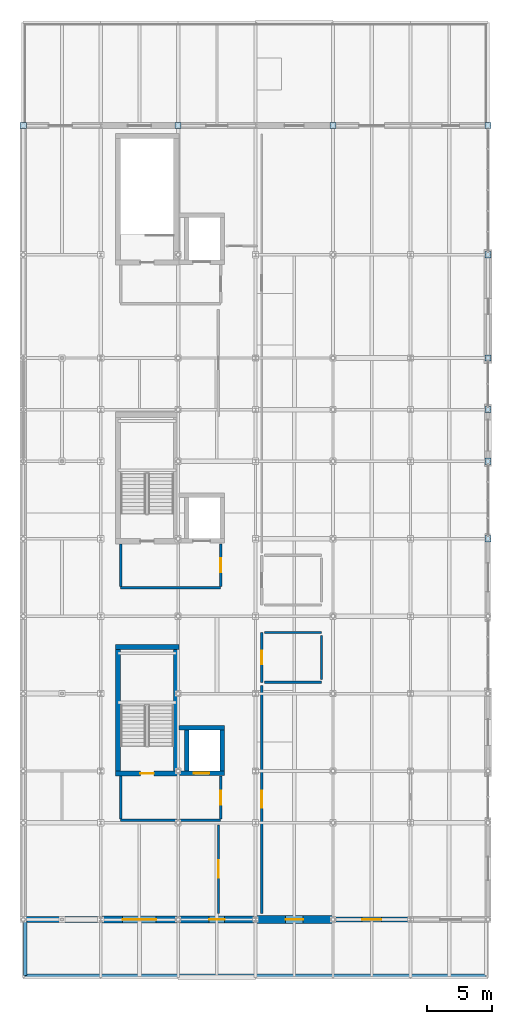
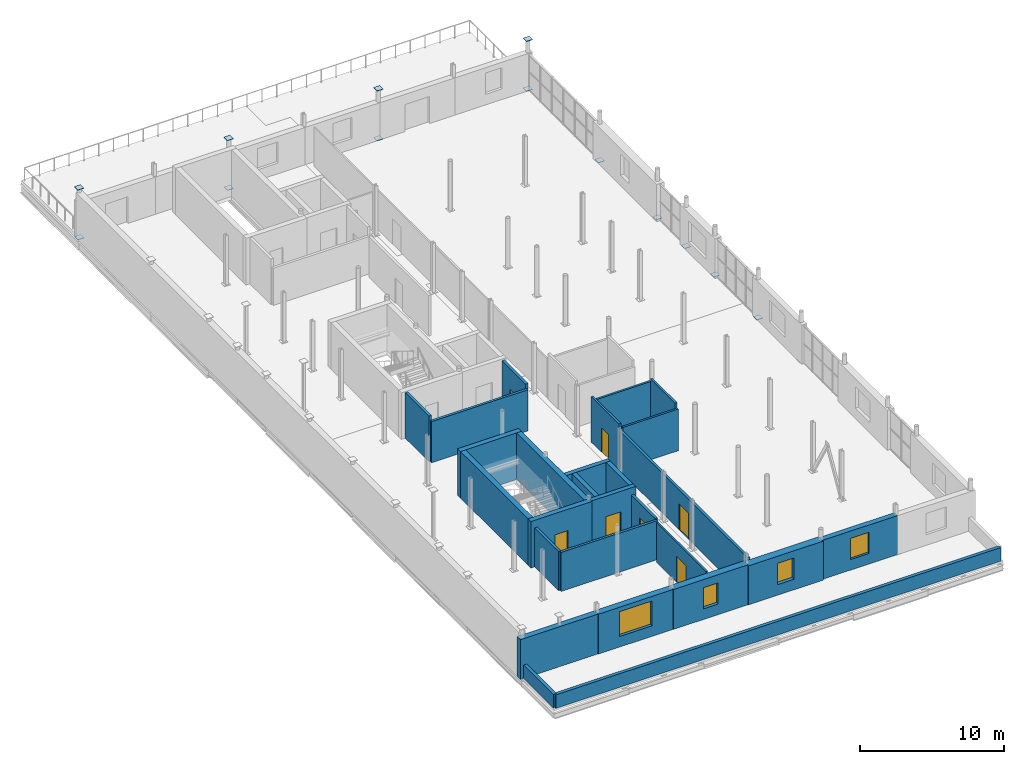
# One storey, part 26 of 30: 27 walls, 13 plates, 7 doors, 4 windows, 11 openings.
"""IFC4 building model written with IfcOpenShell, lengths in metres."""

from ifc_helpers import new_model, si_unit, direction, frame, frame_2d, origin, origin_2d, place, context, subcontext, project, spatial, rectangle, extrude, material, layer, layer_set, type_object, element, fill, save


model = new_model("IFC4")

# Units and contexts
model_context = context("Model", 3, precision=1e-05, world=origin(), true_north=direction((0.0, 1.0)))
body_context = subcontext(model_context, "Body", "Model", "MODEL_VIEW")
ifc_project = project(units=[si_unit("LENGTHUNIT", "METRE"), si_unit("AREAUNIT", "SQUARE_METRE"), si_unit("VOLUMEUNIT", "CUBIC_METRE"), si_unit("PLANEANGLEUNIT", "RADIAN"), si_unit("MASSUNIT", "GRAM", prefix="KILO")], contexts=[model_context])

# Site, building, storey
site_placement = place(None, origin())
site = spatial("IfcSite", under=ifc_project, at=site_placement, CompositionType="ELEMENT")
building_placement = place(site_placement, origin())
building = spatial("IfcBuilding", under=site, at=building_placement, Name="Verrall Gate Interchange", CompositionType="ELEMENT")
storey_placement = place(building_placement, frame((0.0, 0.0, 19.39990234375)))
storey = spatial("IfcBuildingStorey", under=building, at=storey_placement, Name="L05", CompositionType="ELEMENT", Elevation=19.39990234375)

# Plates
ifc_material_1 = material(Name="Structural Steel CSA G40.21 350WT Cat 4", Category="steel")
ifc_layer_1 = layer(ifc_material_1, 0.0400390625)
ifc_layer_set_1 = layer_set([ifc_layer_1], Name="Structural Steel CSA G40.21 350WT Cat 4")
plate_type = type_object("IfcPlateType", Name="BP-01 Base Plate 40", PredefinedType="USERDEFINED", material=ifc_layer_set_1)
for number, where, z_axis, x_axis, name in (
    (1, (0.0, 66.0, -0.02001953125), (0.0, 0.0, 1.0), (1.0, 0.0, 0.0), "L05 Hollow Column Transition Cap Plate 0084"),
    (2, (0.0, 66.0, 4.2001953125), (0.0, 0.0, 1.0), (1.0, 0.0, 0.0), "L05 Hollow Column Top Cap Plate 0085"),
    (3, (12.0, 66.0, -0.02001953125), (0.0, 0.0, 1.0), (1.0, 0.0, 0.0), "L05 Hollow Column Transition Cap Plate 0346"),
    (4, (12.0, 66.0, 4.2001953125), (0.0, 0.0, 1.0), (1.0, 0.0, 0.0), "L05 Hollow Column Top Cap Plate 0347"),
    (5, (24.0, 66.0, -0.02001953125), (0.0, 0.0, 1.0), (1.0, 0.0, 0.0), "L05 Hollow Column Transition Cap Plate 0580"),
    (6, (24.0, 66.0, 4.2001953125), (0.0, 0.0, 1.0), (1.0, 0.0, 0.0), "L05 Hollow Column Top Cap Plate 0581"),
    (7, (36.0, 34.0, -0.02001953125), (0.0, 0.0, 1.0), (1.0, 0.0, 0.0), "L05 Hollow Column Transition Cap Plate 0767"),
    (8, (36.0, 40.0, -0.02001953125), (0.0, 0.0, 1.0), (1.0, 0.0, 0.0), "L05 Hollow Column Transition Cap Plate 0775"),
    (9, (36.0, 44.0, -0.02001953125), (0.0, 0.0, 1.0), (1.0, 0.0, 0.0), "L05 Hollow Column Transition Cap Plate 0783"),
    (10, (36.0, 48.0, -0.02001953125), (0.0, 0.0, 1.0), (1.0, 0.0, 0.0), "L05 Hollow Column Transition Cap Plate 0791"),
    (11, (36.0, 56.0, -0.02001953125), (0.0, 0.0, 1.0), (1.0, 0.0, 0.0), "L05 Hollow Column Transition Cap Plate 0799"),
    (12, (36.0, 66.0, -0.02001953125), (0.0, 0.0, 1.0), (1.0, 0.0, 0.0), "L05 Hollow Column Transition Cap Plate 0807"),
    (13, (36.0, 66.0, 4.2001953125), (0.0, 0.0, 1.0), (1.0, 0.0, 0.0), "L05 Hollow Column Top Cap Plate 0808"),
):
    element("IfcPlate", number, at=place(storey_placement, frame(where, z_axis=z_axis, x_axis=x_axis)), inside=storey, type_object=plate_type, Name=name, ObjectType="BASE_PLATE", PredefinedType="USERDEFINED", context=body_context, shape_type="SweptSolid", body=[
        extrude(rectangle(XDim=0.47998046875, YDim=0.47998046875, at=origin_2d()), origin(), (0.0, 0.0, 1.0), 0.0400390625),
    ])

# Wall, opening, window
ifc_material_2 = material(Name="Tyndall Dolomitic Limestone Ashlar Cavity Assembly (U=0.18)", Category="masonry")
ifc_layer_2 = layer(ifc_material_2, 0.419921875)
ifc_layer_set_2 = layer_set([ifc_layer_2], Name="Tyndall Dolomitic Limestone Ashlar Cavity Assembly (U=0.18)")
wall_type_1 = type_object("IfcWallType", Name="EW-01 Exterior Solid Wall 420", PredefinedType="SOLIDWALL", material=ifc_layer_set_2)
wall_1_placement = place(storey_placement, frame((23.991943359375, 4.5, 0.0), z_axis=(0.0, 0.0, 1.0), x_axis=(1.0, 0.0, 0.0)))
wall_1 = element("IfcWall", 14, at=wall_1_placement, inside=storey, type_object=wall_type_1, Name="L05 Classical Limestone Facade Wall 127", PredefinedType="SOLIDWALL", context=body_context, shape_type="SweptSolid", body=[
    extrude(rectangle(XDim=6.01611328125, YDim=0.419921875, at=frame_2d((3.008056640625, 0.0))), origin(), (0.0, 0.0, 1.0), 3.31103515625),
])
opening_1_placement = place(wall_1_placement, frame((2.258056640625, 0.0, 0.89990234375)))
opening_1 = element("IfcOpeningElement", 15, at=opening_1_placement, cuts=wall_1, Name="Opening WN-03", PredefinedType="OPENING", context=body_context, shape_type="SweptSolid", body=[
    extrude(rectangle(XDim=1.5, YDim=1.800048828125, at=frame_2d((0.75, 0.89990234375))), frame((0.0, 0.224853515625, 0.0), z_axis=(0.0, -1.0, 0.0), x_axis=(1.0, 0.0, 0.0)), (0.0, 0.0, 1.0), 0.44970703125),
])
ifc_material_3 = material(Name="Triple-Glazed Low-E Argon Bronze-Clad Window Unit (U=1.40)", Category="glass")
window_type_1 = type_object("IfcWindowType", Name="WN-03 Classical Deep-Reveal Window 1500x1800", PartitioningType="SINGLE_PANEL", PredefinedType="WINDOW", material=ifc_material_3)
window_1_placement = place(opening_1_placement, origin())
window_1 = element("IfcWindow", 16, at=window_1_placement, inside=storey, type_object=window_type_1, Name="L05 Classical Window 065 (WN-03)", OverallHeight=1.800048828125, OverallWidth=1.5, PartitioningType="SINGLE_PANEL", PredefinedType="WINDOW", context=body_context, shape_type="SweptSolid", body=[
    extrude(rectangle(XDim=1.5, YDim=1.800048828125, at=frame_2d((0.75, 0.89990234375))), frame((0.0, 0.030029296875, 0.0), z_axis=(0.0, -1.0, 0.0), x_axis=(1.0, 0.0, 0.0)), (0.0, 0.0, 1.0), 0.06005859375),
])
fill(opening_1, window_1)

# Wall
ifc_material_4 = material(Name="Tyndall Dolomitic Limestone Ashlar Cavity Assembly (U=0.18)", Category="masonry")
ifc_layer_3 = layer(ifc_material_4, 0.4599609375)
ifc_layer_set_3 = layer_set([ifc_layer_3], Name="Tyndall Dolomitic Limestone Ashlar Cavity Assembly (U=0.18)")
wall_type_2 = type_object("IfcWallType", Name="EW-02 Exterior Solid Wall 460", PredefinedType="SOLIDWALL", material=ifc_layer_set_3)
wall_2_placement = place(storey_placement, frame((-0.25, 4.5, 0.0), z_axis=(0.0, 0.0, 1.0), x_axis=(1.0, 0.0, 0.0)))
element("IfcWall", 17, at=wall_2_placement, inside=storey, type_object=wall_type_2, Name="L05 Classical Limestone Facade Wall 123", PredefinedType="SOLIDWALL", context=body_context, shape_type="SweptSolid", body=[
    extrude(rectangle(XDim=6.258056640625, YDim=0.4599609375, at=frame_2d((3.12890625, 0.0))), origin(), (0.0, 0.0, 1.0), 3.38720703125),
])

# Wall, opening, window
ifc_material_5 = material(Name="Prairie Charcoal Granite Plinth Rainscreen Assembly (U=0.18)", Category="masonry")
ifc_layer_4 = layer(ifc_material_5, 0.52001953125)
ifc_layer_set_4 = layer_set([ifc_layer_4], Name="Prairie Charcoal Granite Plinth Rainscreen Assembly (U=0.18)")
wall_type_3 = type_object("IfcWallType", Name="EW-03 Exterior Solid Wall 520", PredefinedType="SOLIDWALL", material=ifc_layer_set_4)
wall_3_placement = place(storey_placement, frame((5.991943359375, 4.5, 0.0), z_axis=(0.0, 0.0, 1.0), x_axis=(1.0, 0.0, 0.0)))
wall_3 = element("IfcWall", 18, at=wall_3_placement, inside=storey, type_object=wall_type_3, Name="L05 Classical Limestone Facade Wall 124", PredefinedType="SOLIDWALL", context=body_context, shape_type="SweptSolid", body=[
    extrude(rectangle(XDim=6.01611328125, YDim=0.52001953125, at=frame_2d((3.008056640625, 0.0))), origin(), (0.0, 0.0, 1.0), 3.38720703125),
])
opening_2_placement = place(wall_3_placement, frame((1.7080078125, 0.0, 0.89990234375)))
opening_2 = element("IfcOpeningElement", 19, at=opening_2_placement, cuts=wall_3, Name="Opening WN-16", PredefinedType="OPENING", context=body_context, shape_type="SweptSolid", body=[
    extrude(rectangle(XDim=2.60009765625, YDim=2.10009765625, at=frame_2d((1.300048828125, 1.050048828125))), frame((0.0, 0.27490234375, 0.0), z_axis=(0.0, -1.0, 0.0), x_axis=(1.0, 0.0, 0.0)), (0.0, 0.0, 1.0), 0.5498046875),
])
ifc_material_6 = material(Name="Triple-Glazed Low-E Argon Bronze-Clad Window Unit (U=1.40)", Category="glass")
window_type_2 = type_object("IfcWindowType", Name="WN-16 Classical Deep-Reveal Window 2600x2100", PartitioningType="SINGLE_PANEL", PredefinedType="WINDOW", material=ifc_material_6)
window_2_placement = place(opening_2_placement, origin())
window_2 = element("IfcWindow", 20, at=window_2_placement, inside=storey, type_object=window_type_2, Name="L05 Classical Window 062 (WN-16)", OverallHeight=2.10009765625, OverallWidth=2.60009765625, PartitioningType="SINGLE_PANEL", PredefinedType="WINDOW", context=body_context, shape_type="SweptSolid", body=[
    extrude(rectangle(XDim=2.60009765625, YDim=2.10009765625, at=frame_2d((1.300048828125, 1.050048828125))), frame((0.0, 0.030029296875, 0.0), z_axis=(0.0, -1.0, 0.0), x_axis=(1.0, 0.0, 0.0)), (0.0, 0.0, 1.0), 0.06005859375),
])
fill(opening_2, window_2)

ifc_material_7 = material(Name="Tyndall Dolomitic Limestone Ashlar Cavity Assembly (U=0.18)", Category="masonry")
ifc_layer_5 = layer(ifc_material_7, 0.56005859375)
ifc_layer_set_5 = layer_set([ifc_layer_5], Name="Tyndall Dolomitic Limestone Ashlar Cavity Assembly (U=0.18)")
wall_type_4 = type_object("IfcWallType", Name="EW-04 Exterior Solid Wall 560", PredefinedType="SOLIDWALL", material=ifc_layer_set_5)
wall_4_placement = place(storey_placement, frame((11.991943359375, 4.5, 0.0), z_axis=(0.0, 0.0, 1.0), x_axis=(1.0, 0.0, 0.0)))
wall_4 = element("IfcWall", 21, at=wall_4_placement, inside=storey, type_object=wall_type_4, Name="L05 Classical Limestone Facade Wall 125", PredefinedType="SOLIDWALL", context=body_context, shape_type="SweptSolid", body=[
    extrude(rectangle(XDim=6.01611328125, YDim=0.56005859375, at=frame_2d((3.008056640625, 0.0))), origin(), (0.0, 0.0, 1.0), 3.38720703125),
])
opening_3_placement = place(wall_4_placement, frame((2.407958984375, 0.0, 0.89990234375)))
opening_3 = element("IfcOpeningElement", 22, at=opening_3_placement, cuts=wall_4, Name="Opening WN-01", PredefinedType="OPENING", context=body_context, shape_type="SweptSolid", body=[
    extrude(rectangle(XDim=1.199951171875, YDim=1.800048828125, at=frame_2d((0.60009765625, 0.89990234375))), frame((0.0, 0.294921875, 0.0), z_axis=(0.0, -1.0, 0.0), x_axis=(1.0, 0.0, 0.0)), (0.0, 0.0, 1.0), 0.58984375),
])
ifc_material_8 = material(Name="Triple-Glazed Low-E Argon Bronze-Clad Window Unit (U=1.40)", Category="glass")
window_type_3 = type_object("IfcWindowType", Name="WN-01 Classical Deep-Reveal Window 1200x1800", PartitioningType="SINGLE_PANEL", PredefinedType="WINDOW", material=ifc_material_8)
window_3_placement = place(opening_3_placement, origin())
window_3 = element("IfcWindow", 23, at=window_3_placement, inside=storey, type_object=window_type_3, Name="L05 Classical Window 063 (WN-01)", OverallHeight=1.800048828125, OverallWidth=1.199951171875, PartitioningType="SINGLE_PANEL", PredefinedType="WINDOW", context=body_context, shape_type="SweptSolid", body=[
    extrude(rectangle(XDim=1.199951171875, YDim=1.800048828125, at=frame_2d((0.60009765625, 0.89990234375))), frame((0.0, 0.030029296875, 0.0), z_axis=(0.0, -1.0, 0.0), x_axis=(1.0, 0.0, 0.0)), (0.0, 0.0, 1.0), 0.06005859375),
])
fill(opening_3, window_3)

ifc_material_9 = material(Name="Prairie Charcoal Granite Plinth Rainscreen Assembly (U=0.18)", Category="masonry")
ifc_layer_6 = layer(ifc_material_9, 0.6201171875)
ifc_layer_set_6 = layer_set([ifc_layer_6], Name="Prairie Charcoal Granite Plinth Rainscreen Assembly (U=0.18)")
wall_type_5 = type_object("IfcWallType", Name="EW-05 Exterior Solid Wall 620", PredefinedType="SOLIDWALL", material=ifc_layer_set_6)
wall_5_placement = place(storey_placement, frame((17.991943359375, 4.5, 0.0), z_axis=(0.0, 0.0, 1.0), x_axis=(1.0, 0.0, 0.0)))
wall_5 = element("IfcWall", 24, at=wall_5_placement, inside=storey, type_object=wall_type_5, Name="L05 Classical Limestone Facade Wall 126", PredefinedType="SOLIDWALL", context=body_context, shape_type="SweptSolid", body=[
    extrude(rectangle(XDim=6.01611328125, YDim=0.6201171875, at=frame_2d((3.008056640625, 0.0))), origin(), (0.0, 0.0, 1.0), 3.31103515625),
])
opening_4_placement = place(wall_5_placement, frame((2.3330078125, 0.0, 0.89990234375)))
opening_4 = element("IfcOpeningElement", 25, at=opening_4_placement, cuts=wall_5, Name="Opening WN-02", PredefinedType="OPENING", context=body_context, shape_type="SweptSolid", body=[
    extrude(rectangle(XDim=1.35009765625, YDim=1.800048828125, at=frame_2d((0.675048828125, 0.89990234375))), frame((0.0, 0.324951171875, 0.0), z_axis=(0.0, -1.0, 0.0), x_axis=(1.0, 0.0, 0.0)), (0.0, 0.0, 1.0), 0.64990234375),
])
ifc_material_10 = material(Name="Triple-Glazed Low-E Argon Bronze-Clad Window Unit (U=1.40)", Category="glass")
window_type_4 = type_object("IfcWindowType", Name="WN-02 Classical Deep-Reveal Window 1350x1800", PartitioningType="SINGLE_PANEL", PredefinedType="WINDOW", material=ifc_material_10)
window_4_placement = place(opening_4_placement, origin())
window_4 = element("IfcWindow", 26, at=window_4_placement, inside=storey, type_object=window_type_4, Name="L05 Classical Window 064 (WN-02)", OverallHeight=1.800048828125, OverallWidth=1.35009765625, PartitioningType="SINGLE_PANEL", PredefinedType="WINDOW", context=body_context, shape_type="SweptSolid", body=[
    extrude(rectangle(XDim=1.35009765625, YDim=1.800048828125, at=frame_2d((0.675048828125, 0.89990234375))), frame((0.0, 0.030029296875, 0.0), z_axis=(0.0, -1.0, 0.0), x_axis=(1.0, 0.0, 0.0)), (0.0, 0.0, 1.0), 0.06005859375),
])
fill(opening_4, window_4)

# Walls
ifc_material_11 = material(Name="Fire-Rated Type X Gypsum Stud Partition Assembly (60 min)", Category="gypsum")
ifc_layer_7 = layer(ifc_material_11, 0.199951171875)
ifc_layer_set_7 = layer_set([ifc_layer_7], Name="Fire-Rated Type X Gypsum Stud Partition Assembly (60 min)")
wall_type_6 = type_object("IfcWallType", Name="IW-01 Interior Partition Wall 200", PredefinedType="PARTITIONING", material=ifc_layer_set_7)
wall_6_placement = place(storey_placement, frame((7.550048828125, 12.199951171875, 0.0), z_axis=(0.0, 0.0, 1.0), x_axis=(1.0, 0.0, 0.0)))
element("IfcWall", 27, at=wall_6_placement, inside=storey, type_object=wall_type_6, Name="L05 Core C1 Lobby South Rated Wall", PredefinedType="PARTITIONING", context=body_context, shape_type="SweptSolid", body=[
    extrude(rectangle(XDim=7.75, YDim=0.199951171875, at=frame_2d((3.875, 0.0))), origin(), (0.0, 0.0, 1.0), 3.31103515625),
])
wall_7_placement = place(storey_placement, frame((7.550048828125, 15.60009765625, 0.0), z_axis=(0.0, 0.0, 1.0), x_axis=(0.0, -1.0, 0.0)))
element("IfcWall", 28, at=wall_7_placement, inside=storey, type_object=wall_type_6, Name="L05 Core C1 Lobby West Rated Wall", PredefinedType="PARTITIONING", context=body_context, shape_type="SweptSolid", body=[
    extrude(rectangle(XDim=3.320068359375, YDim=0.199951171875, at=frame_2d((1.66015625, 0.0))), origin(), (0.0, 0.0, 1.0), 3.31103515625),
])

# Wall, opening, door
wall_8_placement = place(storey_placement, frame((15.300048828125, 12.280029296875, 0.0), z_axis=(0.0, 0.0, 1.0), x_axis=(0.0, 1.0, 0.0)))
wall_8 = element("IfcWall", 29, at=wall_8_placement, inside=storey, type_object=wall_type_6, Name="L05 Core C1 Lobby East Rated Wall", PredefinedType="PARTITIONING", context=body_context, shape_type="SweptSolid", body=[
    extrude(rectangle(XDim=3.320068359375, YDim=0.199951171875, at=frame_2d((1.66015625, 0.0))), origin(), (0.0, 0.0, 1.0), 3.38720703125),
])
opening_5_placement = place(wall_8_placement, frame((1.110107421875, 0.0, 0.0)))
opening_5 = element("IfcOpeningElement", 30, at=opening_5_placement, cuts=wall_8, Name="Opening LBD016", PredefinedType="OPENING", context=body_context, shape_type="SweptSolid", body=[
    extrude(rectangle(XDim=1.10009765625, YDim=2.14990234375, at=frame_2d((0.550048828125, 1.074951171875))), frame((0.0, 0.11474609375, 0.0), z_axis=(0.0, -1.0, 0.0), x_axis=(1.0, 0.0, 0.0)), (0.0, 0.0, 1.0), 0.229736328125),
])
ifc_material_12 = material(Name="Hollow-Metal Fire-Rated Door Assembly", Category="metal")
door_type_1 = type_object("IfcDoorType", Name="ID-06 Interior Swing Door 1100x2150", OperationType="NOTDEFINED", PredefinedType="DOOR", material=ifc_material_12)
door_1_placement = place(opening_5_placement, origin())
door_1 = element("IfcDoor", 31, at=door_1_placement, inside=storey, type_object=door_type_1, Name="L05 Core C1 Lobby Fire Door LBD016", OperationType="SINGLE_SWING_RIGHT", OverallHeight=2.14990234375, OverallWidth=1.10009765625, PredefinedType="DOOR", context=body_context, shape_type="SweptSolid", body=[
    extrude(rectangle(XDim=1.10009765625, YDim=2.14990234375, at=frame_2d((0.550048828125, 1.074951171875))), frame((0.0, 0.02490234375, 0.0), z_axis=(0.0, -1.0, 0.0), x_axis=(1.0, 0.0, 0.0)), (0.0, 0.0, 1.0), 0.050048828125),
])
fill(opening_5, door_1)

# Walls
wall_9_placement = place(storey_placement, frame((7.550048828125, 30.199951171875, 0.0), z_axis=(0.0, 0.0, 1.0), x_axis=(1.0, 0.0, 0.0)))
element("IfcWall", 32, at=wall_9_placement, inside=storey, type_object=wall_type_6, Name="L05 Core C2 Lobby South Rated Wall", PredefinedType="PARTITIONING", context=body_context, shape_type="SweptSolid", body=[
    extrude(rectangle(XDim=7.75, YDim=0.199951171875, at=frame_2d((3.875, 0.0))), origin(), (0.0, 0.0, 1.0), 3.49609375),
])
wall_10_placement = place(storey_placement, frame((7.550048828125, 33.60009765625, 0.0), z_axis=(0.0, 0.0, 1.0), x_axis=(0.0, -1.0, 0.0)))
element("IfcWall", 33, at=wall_10_placement, inside=storey, type_object=wall_type_6, Name="L05 Core C2 Lobby West Rated Wall", PredefinedType="PARTITIONING", context=body_context, shape_type="SweptSolid", body=[
    extrude(rectangle(XDim=3.320068359375, YDim=0.199951171875, at=frame_2d((1.66015625, 0.0))), origin(), (0.0, 0.0, 1.0), 3.880126953125),
])

# Wall, opening, door
wall_11_placement = place(storey_placement, frame((15.300048828125, 30.280029296875, 0.0), z_axis=(0.0, 0.0, 1.0), x_axis=(0.0, 1.0, 0.0)))
wall_11 = element("IfcWall", 34, at=wall_11_placement, inside=storey, type_object=wall_type_6, Name="L05 Core C2 Lobby East Rated Wall", PredefinedType="PARTITIONING", context=body_context, shape_type="SweptSolid", body=[
    extrude(rectangle(XDim=3.320068359375, YDim=0.199951171875, at=frame_2d((1.66015625, 0.0))), origin(), (0.0, 0.0, 1.0), 3.880126953125),
])
opening_6_placement = place(wall_11_placement, frame((1.110107421875, 0.0, 0.0)))
opening_6 = element("IfcOpeningElement", 35, at=opening_6_placement, cuts=wall_11, Name="Opening LBD034", PredefinedType="OPENING", context=body_context, shape_type="SweptSolid", body=[
    extrude(rectangle(XDim=1.10009765625, YDim=2.14990234375, at=frame_2d((0.550048828125, 1.074951171875))), frame((0.0, 0.11474609375, 0.0), z_axis=(0.0, -1.0, 0.0), x_axis=(1.0, 0.0, 0.0)), (0.0, 0.0, 1.0), 0.229736328125),
])
door_2_placement = place(opening_6_placement, origin())
door_2 = element("IfcDoor", 36, at=door_2_placement, inside=storey, type_object=door_type_1, Name="L05 Core C2 Lobby Fire Door LBD034", OperationType="SINGLE_SWING_RIGHT", OverallHeight=2.14990234375, OverallWidth=1.10009765625, PredefinedType="DOOR", context=body_context, shape_type="SweptSolid", body=[
    extrude(rectangle(XDim=1.10009765625, YDim=2.14990234375, at=frame_2d((0.550048828125, 1.074951171875))), frame((0.0, 0.02490234375, 0.0), z_axis=(0.0, -1.0, 0.0), x_axis=(1.0, 0.0, 0.0)), (0.0, 0.0, 1.0), 0.050048828125),
])
fill(opening_6, door_2)

wall_12_placement = place(storey_placement, frame((18.47998046875, 4.97998046875, 0.0), z_axis=(0.0, 0.0, 1.0), x_axis=(0.0, 1.0, 0.0)))
wall_12 = element("IfcWall", 37, at=wall_12_placement, inside=storey, type_object=wall_type_6, Name="L05 SCADA and Fibre Telemetry Equipment Hall Partition 085", PredefinedType="PARTITIONING", context=body_context, shape_type="SweptSolid", body=[
    extrude(rectangle(XDim=17.659912109375, YDim=0.199951171875, at=frame_2d((8.830078125, 0.0))), origin(), (0.0, 0.0, 1.0), 3.38720703125),
])
opening_7_placement = place(wall_12_placement, frame((8.169921875, 0.0, 0.0)))
opening_7 = element("IfcOpeningElement", 38, at=opening_7_placement, cuts=wall_12, Name="Opening D057", PredefinedType="OPENING", context=body_context, shape_type="SweptSolid", body=[
    extrude(rectangle(XDim=1.320068359375, YDim=2.199951171875, at=frame_2d((0.66015625, 1.10009765625))), frame((0.0, 0.11474609375, 0.0), z_axis=(0.0, -1.0, 0.0), x_axis=(1.0, 0.0, 0.0)), (0.0, 0.0, 1.0), 0.229736328125),
])
ifc_material_13 = material(Name="Hollow-Metal Fire-Rated Door Assembly", Category="metal")
door_type_2 = type_object("IfcDoorType", Name="ID-08 Interior Swing Door 1320x2200", OperationType="NOTDEFINED", PredefinedType="DOOR", material=ifc_material_13)
door_3_placement = place(opening_7_placement, origin())
door_3 = element("IfcDoor", 39, at=door_3_placement, inside=storey, type_object=door_type_2, Name="L05 SCADA and Fibre Telemetry Equipment Hall Door D057", OperationType="SINGLE_SWING_RIGHT", OverallHeight=2.199951171875, OverallWidth=1.320068359375, PredefinedType="DOOR", context=body_context, shape_type="SweptSolid", body=[
    extrude(rectangle(XDim=1.320068359375, YDim=2.199951171875, at=frame_2d((0.66015625, 1.10009765625))), frame((0.0, 0.02490234375, 0.0), z_axis=(0.0, -1.0, 0.0), x_axis=(1.0, 0.0, 0.0)), (0.0, 0.0, 1.0), 0.050048828125),
])
fill(opening_7, door_3)

ifc_material_14 = material(Name="Fire-Rated Type X Gypsum Stud Partition Assembly (60 min)", Category="gypsum")
ifc_layer_8 = layer(ifc_material_14, 0.159912109375)
ifc_layer_set_8 = layer_set([ifc_layer_8], Name="Fire-Rated Type X Gypsum Stud Partition Assembly (60 min)")
wall_type_7 = type_object("IfcWallType", Name="IW-02 Interior Partition Wall 160", PredefinedType="PARTITIONING", material=ifc_layer_set_8)
wall_13_placement = place(storey_placement, frame((18.47998046875, 22.8798828125, 0.0), z_axis=(0.0, 0.0, 1.0), x_axis=(0.0, 1.0, 0.0)))
wall_13 = element("IfcWall", 40, at=wall_13_placement, inside=storey, type_object=wall_type_7, Name="L05 L05 Staff Washroom Partition 077", PredefinedType="PARTITIONING", context=body_context, shape_type="SweptSolid", body=[
    extrude(rectangle(XDim=3.840087890625, YDim=0.159912109375, at=frame_2d((1.919921875, 0.0))), origin(), (0.0, 0.0, 1.0), 3.880126953125),
])
opening_8_placement = place(wall_13_placement, frame((1.409912109375, 0.0, 0.0)))
opening_8 = element("IfcOpeningElement", 41, at=opening_8_placement, cuts=wall_13, Name="Opening D055", PredefinedType="OPENING", context=body_context, shape_type="SweptSolid", body=[
    extrude(rectangle(XDim=1.02001953125, YDim=2.10009765625, at=frame_2d((0.510009765625, 1.050048828125))), frame((0.0, 0.0947265625, 0.0), z_axis=(0.0, -1.0, 0.0), x_axis=(1.0, 0.0, 0.0)), (0.0, 0.0, 1.0), 0.189697265625),
])
ifc_material_15 = material(Name="Architectural Solid-Core Birch Acoustic Door Assembly", Category="wood")
door_type_3 = type_object("IfcDoorType", Name="ID-12 Interior Swing Door 1020x2100", OperationType="NOTDEFINED", PredefinedType="DOOR", material=ifc_material_15)
door_4_placement = place(opening_8_placement, origin())
door_4 = element("IfcDoor", 42, at=door_4_placement, inside=storey, type_object=door_type_3, Name="L05 L05 Staff Washroom Door D055", OperationType="SINGLE_SWING_RIGHT", OverallHeight=2.10009765625, OverallWidth=1.02001953125, PredefinedType="DOOR", context=body_context, shape_type="SweptSolid", body=[
    extrude(rectangle(XDim=1.02001953125, YDim=2.10009765625, at=frame_2d((0.510009765625, 1.050048828125))), frame((0.0, 0.02490234375, 0.0), z_axis=(0.0, -1.0, 0.0), x_axis=(1.0, 0.0, 0.0)), (0.0, 0.0, 1.0), 0.050048828125),
])
fill(opening_8, door_4)

# Walls
for number, where, z_axis, x_axis, name in (
    (43, (18.679931640625, 26.719970703125, 0.0), (0.0, 0.0, 1.0), (1.0, 0.0, 0.0), "L05 L05 Staff Washroom Partition 078"),
    (44, (23.1201171875, 22.8798828125, 0.0), (0.0, 0.0, 1.0), (-1.0, 0.0, 0.0), "L05 L05 Staff Washroom Partition 079"),
):
    element("IfcWall", number, at=place(storey_placement, frame(where, z_axis=z_axis, x_axis=x_axis)), inside=storey, type_object=wall_type_7, Name=name, PredefinedType="PARTITIONING", context=body_context, shape_type="SweptSolid", body=[
        extrude(rectangle(XDim=4.440185546875, YDim=0.159912109375, at=frame_2d((2.22021484375, 0.0))), origin(), (0.0, 0.0, 1.0), 3.5361328125),
    ])
wall_14_placement = place(storey_placement, frame((23.1201171875, 26.52001953125, 0.0), z_axis=(0.0, 0.0, 1.0), x_axis=(0.0, -1.0, 0.0)))
element("IfcWall", 45, at=wall_14_placement, inside=storey, type_object=wall_type_7, Name="L05 L05 Staff Washroom Partition 080", PredefinedType="PARTITIONING", context=body_context, shape_type="SweptSolid", body=[
    extrude(rectangle(XDim=3.43994140625, YDim=0.159912109375, at=frame_2d((1.719970703125, 0.0))), origin(), (0.0, 0.0, 1.0), 3.880126953125),
])

# Wall, opening, door
ifc_material_16 = material(Name="Acoustic Steel-Stud Partition Assembly", Category="steel")
ifc_layer_9 = layer(ifc_material_16, 0.139892578125)
ifc_layer_set_9 = layer_set([ifc_layer_9], Name="Acoustic Steel-Stud Partition Assembly")
wall_type_8 = type_object("IfcWallType", Name="IW-03 Interior Partition Wall 140", PredefinedType="PARTITIONING", material=ifc_layer_set_9)
wall_15_placement = place(storey_placement, frame((15.1201171875, 11.840087890625, 0.0), z_axis=(0.0, 0.0, 1.0), x_axis=(0.0, -1.0, 0.0)))
wall_15 = element("IfcWall", 46, at=wall_15_placement, inside=storey, type_object=wall_type_8, Name="L05 Radio Maintenance Workshop Partition 088", PredefinedType="PARTITIONING", context=body_context, shape_type="SweptSolid", body=[
    extrude(rectangle(XDim=6.860107421875, YDim=0.139892578125, at=frame_2d((3.43017578125, 0.0))), origin(), (0.0, 0.0, 1.0), 3.38720703125),
])
opening_9_placement = place(wall_15_placement, frame((2.75, 0.0, 0.0)))
opening_9 = element("IfcOpeningElement", 47, at=opening_9_placement, cuts=wall_15, Name="Opening D060", PredefinedType="OPENING", context=body_context, shape_type="SweptSolid", body=[
    extrude(rectangle(XDim=1.360107421875, YDim=2.199951171875, at=frame_2d((0.68017578125, 1.10009765625))), frame((0.0, 0.0849609375, 0.0), z_axis=(0.0, -1.0, 0.0), x_axis=(1.0, 0.0, 0.0)), (0.0, 0.0, 1.0), 0.169677734375),
])
ifc_material_17 = material(Name="Architectural Solid-Core Birch Acoustic Door Assembly", Category="wood")
door_type_4 = type_object("IfcDoorType", Name="ID-17 Interior Swing Door 1360x2200", OperationType="NOTDEFINED", PredefinedType="DOOR", material=ifc_material_17)
door_5_placement = place(opening_9_placement, origin())
door_5 = element("IfcDoor", 48, at=door_5_placement, inside=storey, type_object=door_type_4, Name="L05 Radio Maintenance Workshop Door D060", OperationType="SINGLE_SWING_LEFT", OverallHeight=2.199951171875, OverallWidth=1.360107421875, PredefinedType="DOOR", context=body_context, shape_type="SweptSolid", body=[
    extrude(rectangle(XDim=1.360107421875, YDim=2.199951171875, at=frame_2d((0.68017578125, 1.10009765625))), frame((0.0, 0.02490234375, 0.0), z_axis=(0.0, -1.0, 0.0), x_axis=(1.0, 0.0, 0.0)), (0.0, 0.0, 1.0), 0.050048828125),
])
fill(opening_9, door_5)

# Walls
ifc_material_18 = material(Name="Tyndall Dolomitic Limestone Ashlar Cavity Assembly (U=0.18)", Category="masonry")
ifc_layer_10 = layer(ifc_material_18, 0.260009765625)
ifc_layer_set_10 = layer_set([ifc_layer_10], Name="Tyndall Dolomitic Limestone Ashlar Cavity Assembly (U=0.18)")
wall_type_9 = type_object("IfcWallType", Name="PW-01 Parapet Wall 260", PredefinedType="PARAPET", material=ifc_layer_set_10)
wall_16_placement = place(storey_placement, frame((0.14990234375, 0.14990234375, 0.0), z_axis=(0.0, 0.0, 1.0), x_axis=(1.0, 0.0, 0.0)))
element("IfcWall", 49, at=wall_16_placement, inside=storey, type_object=wall_type_9, Name="L05 Classical Stone Roof Parapet 001", PredefinedType="PARAPET", context=body_context, shape_type="SweptSolid", body=[
    extrude(rectangle(XDim=35.7001953125, YDim=0.260009765625, at=frame_2d((17.85009765625, 0.0))), origin(), (0.0, 0.0, 1.0), 1.150146484375),
])
wall_17_placement = place(storey_placement, frame((0.14990234375, 0.14990234375, 0.0), z_axis=(0.0, 0.0, 1.0), x_axis=(0.0, 1.0, 0.0)))
element("IfcWall", 50, at=wall_17_placement, inside=storey, type_object=wall_type_9, Name="L05 Classical Stone Roof Parapet 002", PredefinedType="PARAPET", context=body_context, shape_type="SweptSolid", body=[
    extrude(rectangle(XDim=4.25, YDim=0.260009765625, at=frame_2d((2.125, 0.0))), origin(), (0.0, 0.0, 1.0), 1.150146484375),
])

# Wall, opening, door
ifc_material_19 = material(Name="Concrete CSA A23.1 40 MPa (Class N)", Category="concrete")
ifc_layer_11 = layer(ifc_material_19, 0.39990234375)
ifc_layer_set_11 = layer_set([ifc_layer_11], Name="Concrete CSA A23.1 40 MPa (Class N)")
wall_type_10 = type_object("IfcWallType", Name="SW-01 Core Shear Wall 400", PredefinedType="SHEAR", material=ifc_layer_set_11)
wall_18_placement = place(storey_placement, frame((7.14990234375, 15.800048828125, 0.0), z_axis=(0.0, 0.0, 1.0), x_axis=(1.0, 0.0, 0.0)))
wall_18 = element("IfcWall", 51, at=wall_18_placement, inside=storey, type_object=wall_type_10, Name="L05 Core C1 South Shear Wall", PredefinedType="SHEAR", context=body_context, shape_type="SweptSolid", body=[
    extrude(rectangle(XDim=4.900146484375, YDim=0.39990234375, at=frame_2d((2.4501953125, 0.0))), origin(), (0.0, 0.0, 1.0), 3.9501953125),
])
opening_10_placement = place(wall_18_placement, frame((1.925048828125, 0.0, 0.0)))
opening_10 = element("IfcOpeningElement", 52, at=opening_10_placement, cuts=wall_18, Name="Opening SD007", PredefinedType="OPENING", context=body_context, shape_type="SweptSolid", body=[
    extrude(rectangle(XDim=1.050048828125, YDim=2.14990234375, at=frame_2d((0.52490234375, 1.074951171875))), frame((0.0, 0.21484375, 0.0), z_axis=(0.0, -1.0, 0.0), x_axis=(1.0, 0.0, 0.0)), (0.0, 0.0, 1.0), 0.4296875),
])
ifc_material_20 = material(Name="Hollow-Metal Fire-Rated Door Assembly", Category="metal")
door_type_5 = type_object("IfcDoorType", Name="ID-01 Interior Swing Door 1050x2150", OperationType="NOTDEFINED", PredefinedType="DOOR", material=ifc_material_20)
door_6_placement = place(opening_10_placement, origin())
door_6 = element("IfcDoor", 53, at=door_6_placement, inside=storey, type_object=door_type_5, Name="L05 Stair ST-01 Fire Door SD007", OperationType="SINGLE_SWING_LEFT", OverallHeight=2.14990234375, OverallWidth=1.050048828125, PredefinedType="DOOR", context=body_context, shape_type="SweptSolid", body=[
    extrude(rectangle(XDim=1.050048828125, YDim=2.14990234375, at=frame_2d((0.52490234375, 1.074951171875))), frame((0.0, 0.02490234375, 0.0), z_axis=(0.0, -1.0, 0.0), x_axis=(1.0, 0.0, 0.0)), (0.0, 0.0, 1.0), 0.050048828125),
])
fill(opening_10, door_6)

# Walls
wall_19_placement = place(storey_placement, frame((12.050048828125, 25.60009765625, 0.0), z_axis=(0.0, 0.0, 1.0), x_axis=(-1.0, 0.0, 0.0)))
element("IfcWall", 54, at=wall_19_placement, inside=storey, type_object=wall_type_10, Name="L05 Core C1 North Shear Wall", PredefinedType="SHEAR", context=body_context, shape_type="SweptSolid", body=[
    extrude(rectangle(XDim=4.900146484375, YDim=0.39990234375, at=frame_2d((2.4501953125, 0.0))), origin(), (0.0, 0.0, 1.0), 3.9501953125),
])
for number, where, z_axis, x_axis, name in (
    (55, (7.35009765625, 25.39990234375, 0.0), (0.0, 0.0, 1.0), (0.0, -1.0, 0.0), "L05 Core C1 West Shear Wall"),
    (56, (11.85009765625, 16.0, 0.0), (0.0, 0.0, 1.0), (0.0, 1.0, 0.0), "L05 Core C1 East Shear Wall"),
):
    element("IfcWall", number, at=place(storey_placement, frame(where, z_axis=z_axis, x_axis=x_axis)), inside=storey, type_object=wall_type_10, Name=name, PredefinedType="SHEAR", context=body_context, shape_type="SweptSolid", body=[
        extrude(rectangle(XDim=9.39990234375, YDim=0.39990234375, at=frame_2d((4.699951171875, 0.0))), origin(), (0.0, 0.0, 1.0), 3.9501953125),
    ])

# Wall, opening, door
ifc_material_21 = material(Name="Concrete CSA A23.1 40 MPa (Class N)", Category="concrete")
ifc_layer_12 = layer(ifc_material_21, 0.340087890625)
ifc_layer_set_12 = layer_set([ifc_layer_12], Name="Concrete CSA A23.1 40 MPa (Class N)")
wall_type_11 = type_object("IfcWallType", Name="SW-02 Core Shear Wall 340", PredefinedType="SHEAR", material=ifc_layer_set_12)
wall_20_placement = place(storey_placement, frame((12.050048828125, 15.830078125, 0.0), z_axis=(0.0, 0.0, 1.0), x_axis=(1.0, 0.0, 0.0)))
wall_20 = element("IfcWall", 57, at=wall_20_placement, inside=storey, type_object=wall_type_11, Name="L05 Elevator EL-01 South Shaft Wall", PredefinedType="SHEAR", context=body_context, shape_type="SweptSolid", body=[
    extrude(rectangle(XDim=3.5400390625, YDim=0.340087890625, at=frame_2d((1.77001953125, 0.0))), origin(), (0.0, 0.0, 1.0), 3.9501953125),
])
opening_11_placement = place(wall_20_placement, frame((1.169921875, 0.0, 0.0)))
opening_11 = element("IfcOpeningElement", 58, at=opening_11_placement, cuts=wall_20, Name="Opening LD-01-L05", PredefinedType="OPENING", context=body_context, shape_type="SweptSolid", body=[
    extrude(rectangle(XDim=1.199951171875, YDim=2.199951171875, at=frame_2d((0.60009765625, 1.10009765625))), frame((0.0, 0.18505859375, 0.0), z_axis=(0.0, -1.0, 0.0), x_axis=(1.0, 0.0, 0.0)), (0.0, 0.0, 1.0), 0.369873046875),
])
ifc_material_22 = material(Name="Stainless-Steel Elevator Landing Sliding Door Assembly", Category="steel")
door_type_6 = type_object("IfcDoorType", Name="LD-02 Elevator Sliding Landing Door 1200x2200", OperationType="NOTDEFINED", PredefinedType="DOOR", material=ifc_material_22)
door_7_placement = place(opening_11_placement, origin())
door_7 = element("IfcDoor", 59, at=door_7_placement, inside=storey, type_object=door_type_6, Name="L05 Elevator EL-01 Sliding Landing Door", OperationType="DOUBLE_DOOR_SLIDING", OverallHeight=2.199951171875, OverallWidth=1.199951171875, PredefinedType="DOOR", context=body_context, shape_type="SweptSolid", body=[
    extrude(rectangle(XDim=1.199951171875, YDim=2.199951171875, at=frame_2d((0.60009765625, 1.10009765625))), frame((0.0, 0.02490234375, 0.0), z_axis=(0.0, -1.0, 0.0), x_axis=(1.0, 0.0, 0.0)), (0.0, 0.0, 1.0), 0.050048828125),
])
fill(opening_11, door_7)

# Walls
wall_21_placement = place(storey_placement, frame((15.590087890625, 19.3701171875, 0.0), z_axis=(0.0, 0.0, 1.0), x_axis=(-1.0, 0.0, 0.0)))
element("IfcWall", 60, at=wall_21_placement, inside=storey, type_object=wall_type_11, Name="L05 Elevator EL-01 North Shaft Wall", PredefinedType="SHEAR", context=body_context, shape_type="SweptSolid", body=[
    extrude(rectangle(XDim=3.5400390625, YDim=0.340087890625, at=frame_2d((1.77001953125, 0.0))), origin(), (0.0, 0.0, 1.0), 3.9501953125),
])
for number, where, z_axis, x_axis, name in (
    (61, (12.679931640625, 19.199951171875, 0.0), (0.0, 0.0, 1.0), (0.0, -1.0, 0.0), "L05 Elevator EL-01 West Shaft Wall"),
    (62, (15.419921875, 16.0, 0.0), (0.0, 0.0, 1.0), (0.0, 1.0, 0.0), "L05 Elevator EL-01 East Shaft Wall"),
):
    element("IfcWall", number, at=place(storey_placement, frame(where, z_axis=z_axis, x_axis=x_axis)), inside=storey, type_object=wall_type_11, Name=name, PredefinedType="SHEAR", context=body_context, shape_type="SweptSolid", body=[
        extrude(rectangle(XDim=3.199951171875, YDim=0.340087890625, at=frame_2d((1.60009765625, 0.0))), origin(), (0.0, 0.0, 1.0), 3.9501953125),
    ])

save(model, "model.ifc")
